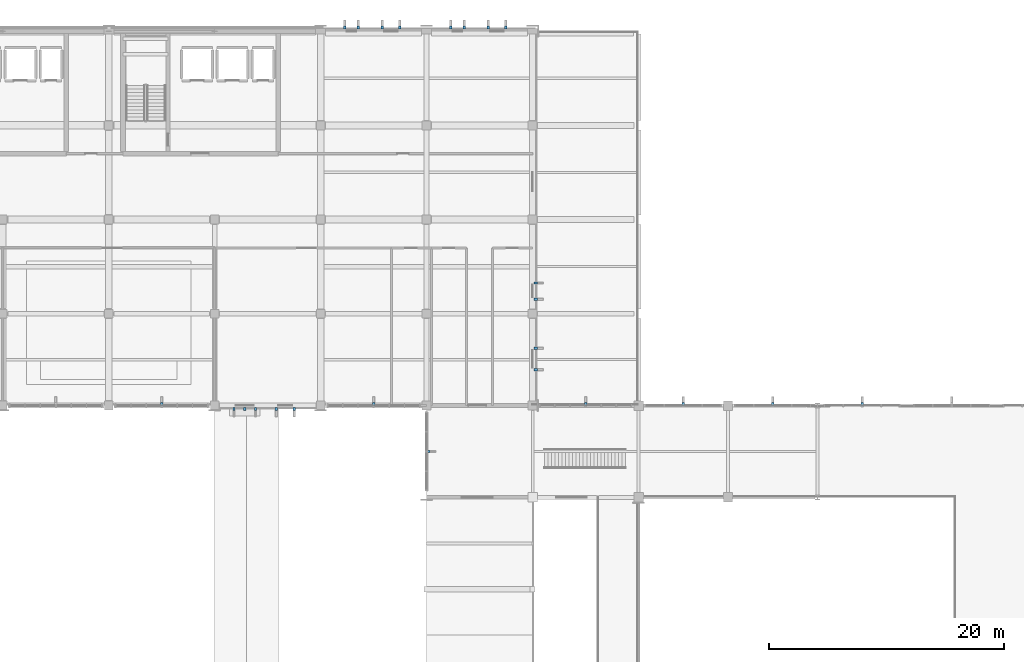
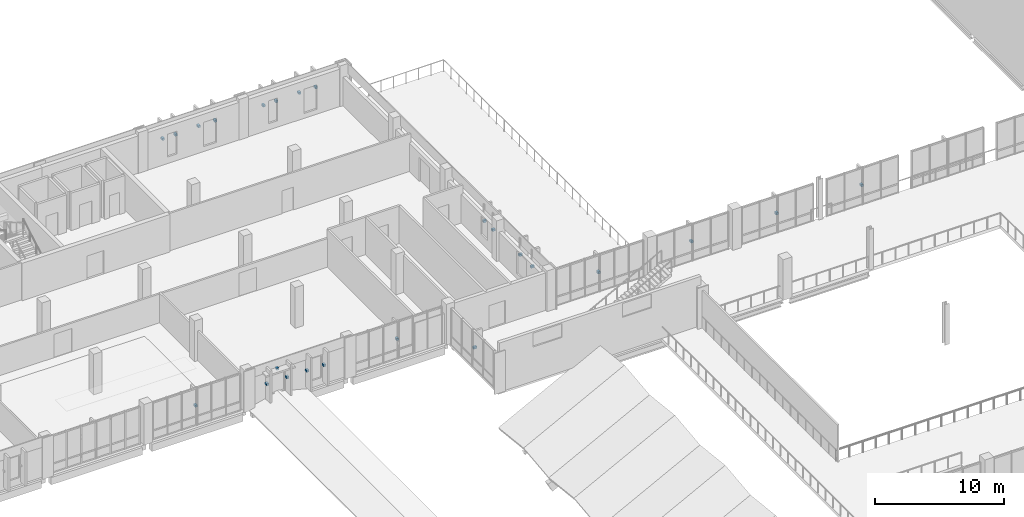
# One storey, part 51 of 64: 24 discrete accessories.
"""IFC4 building model written with IfcOpenShell, lengths in metres."""

import ifcopenshell
import ifcopenshell.guid

model = None  # the IFC model being written
_history = None  # IfcOwnerHistory: only IFC2X3 demands one
_inside = {}  # id of a spatial element -> (the spatial element, [elements in it])
_under = {}  # id of a project, library or spatial element -> (it, [spatial elements below it])
_declared = {}  # id of a project -> (the project, [libraries it declares])
_typed = {}  # id of a type object -> (the type object, [elements of that type])
_made_of = {}  # id of a material, layer set ... -> (it, [elements and type objects made of it])


def new_model(schema):
    """Start an empty IFC model of exactly this schema.

    Asked for "IFC4X3", IfcOpenShell would pick the latest addendum, in which some entities
    have other attributes; the version numbers below select the first issue.
    IFC2X3 requires an IfcOwnerHistory on every rooted entity: one is made here for all.
    """
    global model, _history
    if schema == "IFC4X3":
        model = ifcopenshell.file(schema_version=(4, 3, 0, 0))
    else:
        model = ifcopenshell.file(schema=schema)
    _inside.clear()
    _under.clear()
    _declared.clear()
    _typed.clear()
    _made_of.clear()
    _history = None
    if model.schema == "IFC2X3":
        org = make("IfcOrganization", Name="unknown")
        user = make(
            "IfcPersonAndOrganization",
            ThePerson=make("IfcPerson", FamilyName="unknown"),
            TheOrganization=org,
        )
        app = make(
            "IfcApplication",
            ApplicationDeveloper=org,
            Version="unknown",
            ApplicationFullName="unknown",
            ApplicationIdentifier="unknown",
        )
        _history = make(
            "IfcOwnerHistory",
            OwningUser=user,
            OwningApplication=app,
            ChangeAction="ADDED",
            CreationDate=0,
        )
    return model


def make(cls, **values):
    """One entity of the class cls with the attributes given. An attribute that is None is left unset."""
    return model.create_entity(
        cls, **{name: value for name, value in values.items() if value is not None}
    )


def rooted(cls, **values):
    """An entity with a GlobalId (a new one), such as an element, a storey or a relation."""
    return make(cls, GlobalId=ifcopenshell.guid.new(), OwnerHistory=_history, **values)


def si_unit(unit_type, name, prefix=None):
    """IfcSIUnit, for example si_unit("LENGTHUNIT", "METRE", prefix="MILLI")."""
    return make("IfcSIUnit", UnitType=unit_type, Prefix=prefix, Name=name)


def assignment(units):
    """IfcUnitAssignment: the units of a project."""
    return None if units is None else make("IfcUnitAssignment", Units=units)


def point(xyz):
    """IfcCartesianPoint."""
    return None if xyz is None else make("IfcCartesianPoint", Coordinates=xyz)


def direction(xyz):
    """IfcDirection."""
    return None if xyz is None else make("IfcDirection", DirectionRatios=xyz)


def frame(location, z_axis=None, x_axis=None):
    """IfcAxis2Placement3D, a coordinate frame: its origin and axes. An axis left out is left unset."""
    return make(
        "IfcAxis2Placement3D",
        Location=point(location),
        Axis=direction(z_axis),
        RefDirection=direction(x_axis),
    )


def frame_2d(location, x_axis=None):
    """IfcAxis2Placement2D, a coordinate frame in the plane: its origin and x axis."""
    return make(
        "IfcAxis2Placement2D", Location=point(location), RefDirection=direction(x_axis)
    )


def origin():
    """The frame at (0, 0, 0) with its axes left unset."""
    return frame((0.0, 0.0, 0.0))


def origin_2d():
    """The frame at (0, 0) in the plane with its x axis left unset."""
    return frame_2d((0.0, 0.0))


def place(relative_to, where):
    """IfcLocalPlacement: puts the frame where relative to a parent placement (None: the world)."""
    return make(
        "IfcLocalPlacement", PlacementRelTo=relative_to, RelativePlacement=where
    )


def context(
    kind, dimensions, precision=None, world=None, true_north=None, identifier=None
):
    """IfcGeometricRepresentationContext, for example the 3D "Model" context."""
    return make(
        "IfcGeometricRepresentationContext",
        ContextIdentifier=identifier,
        ContextType=kind,
        CoordinateSpaceDimension=dimensions,
        Precision=precision,
        WorldCoordinateSystem=world,
        TrueNorth=true_north,
    )


def subcontext(parent, identifier, kind, view, scale=None):
    """IfcGeometricRepresentationSubContext, for example "Body" below "Model"."""
    return make(
        "IfcGeometricRepresentationSubContext",
        ContextIdentifier=identifier,
        ContextType=kind,
        ParentContext=parent,
        TargetScale=scale,
        TargetView=view,
    )


def project(units=None, contexts=None):
    """IfcProject with its units and contexts."""
    return rooted(
        "IfcProject",
        Name="project",
        RepresentationContexts=contexts,
        UnitsInContext=assignment(units),
    )


def spatial(cls, under=None, at=None, **own):
    """A site, building, storey or space (cls), placed at a placement, below another one or the project."""
    s = rooted(cls, ObjectPlacement=at, **own)
    if under is not None:
        _under.setdefault(under.id(), (under, []))[1].append(s)
    return s


def profile(cls, at=None, kind="AREA", **sizes):
    """A parametric profile (cls). Its sizes go by their IFC names, for example OverallWidth=200.0."""
    return make(cls, ProfileType=kind, Position=at, **sizes)


def rectangle(**sizes):
    """IfcRectangleProfileDef."""
    return profile("IfcRectangleProfileDef", **sizes)


def extrude(swept, where, along, depth):
    """IfcExtrudedAreaSolid: the profile swept, set in the frame where, extruded along a direction by depth."""
    return make(
        "IfcExtrudedAreaSolid",
        SweptArea=swept,
        Position=where,
        ExtrudedDirection=direction(along),
        Depth=depth,
    )


def shape(context_of_items, identifier, shape_type, items):
    """IfcShapeRepresentation: the items that make up one representation, for example the "Body"."""
    return make(
        "IfcShapeRepresentation",
        ContextOfItems=context_of_items,
        RepresentationIdentifier=identifier,
        RepresentationType=shape_type,
        Items=items,
    )


def material(Name=None, Category=None):
    """IfcMaterial."""
    return make("IfcMaterial", Name=Name, Category=Category)


def made_of(thing, what):
    """Note that an element or type object is made of a material, layer set ...; save() writes the relation."""
    if what is not None:
        _made_of.setdefault(what.id(), (what, []))[1].append(thing)
    return thing


def type_object(cls, material=None, **own):
    """A type object (cls), such as IfcWallType, which elements share."""
    return made_of(rooted(cls, **own), material)


def element(
    cls,
    number,
    at=None,
    inside=None,
    cuts=None,
    type_object=None,
    material=None,
    context=None,
    identifier="Body",
    shape_type=None,
    held_by="IfcProductDefinitionShape",
    body=None,
    shapes=None,
    **own,
):
    """One element of the class cls, such as IfcWall. Its Tag is "e" and its number.

    at: its placement. inside: the storey or other place that contains it. cuts: it is an
    opening in that element (IfcRelVoidsElement). A single representation is given by context,
    identifier, shape_type and body (its items); several are given by shapes. held_by: the class
    of the entity that holds the representations. save() writes the other relations.
    """
    e = rooted(cls, Tag="e%d" % number, ObjectPlacement=at, **own)
    if body is not None:
        shapes = [shape(context, identifier, shape_type, body)]
    if shapes is not None:
        e.Representation = make(held_by, Representations=shapes)
    if inside is not None:
        _inside.setdefault(inside.id(), (inside, []))[1].append(e)
    if cuts is not None:
        rooted(
            "IfcRelVoidsElement", RelatingBuildingElement=cuts, RelatedOpeningElement=e
        )
    if type_object is not None:
        _typed.setdefault(type_object.id(), (type_object, []))[1].append(e)
    return made_of(e, material)


def aggregate(whole, parts):
    """IfcRelAggregates: a whole, such as a stair, and the parts it consists of."""
    return rooted("IfcRelAggregates", RelatingObject=whole, RelatedObjects=parts)


def save(model, path):
    """Write the relations noted so far, then the file.

    IfcRelAggregates (storeys below a building ...), IfcRelContainedInSpatialStructure (elements
    in a storey), IfcRelDefinesByType, IfcRelAssociatesMaterial and IfcRelDeclares: one each for
    every whole, place, type object, material and project.
    """
    for whole, parts in _under.values():
        aggregate(whole, parts)
    for where, things in _inside.values():
        rooted(
            "IfcRelContainedInSpatialStructure",
            RelatedElements=things,
            RelatingStructure=where,
        )
    for kind, things in _typed.values():
        rooted("IfcRelDefinesByType", RelatedObjects=things, RelatingType=kind)
    for what, things in _made_of.values():
        rooted("IfcRelAssociatesMaterial", RelatedObjects=things, RelatingMaterial=what)
    for by, libraries in _declared.values():
        rooted("IfcRelDeclares", RelatingContext=by, RelatedDefinitions=libraries)
    model.write(path)


model = new_model("IFC4")

# Units and contexts
model_context = context("Model", 3, precision=1e-05, world=origin(), true_north=direction((0.0, 1.0)))
body_context = subcontext(model_context, "Body", "Model", "MODEL_VIEW")
ifc_project = project(units=[si_unit("LENGTHUNIT", "METRE"), si_unit("AREAUNIT", "SQUARE_METRE"), si_unit("VOLUMEUNIT", "CUBIC_METRE"), si_unit("PLANEANGLEUNIT", "RADIAN"), si_unit("MASSUNIT", "GRAM", prefix="KILO")], contexts=[model_context])

# Site, building, storey
site_placement = place(None, origin())
site = spatial("IfcSite", under=ifc_project, at=site_placement, CompositionType="ELEMENT")
building_placement = place(site_placement, origin())
building = spatial("IfcBuilding", under=site, at=building_placement, Name="Vervanel Yard Central Library", CompositionType="ELEMENT")
storey_placement = place(building_placement, frame((0.0, 0.0, 8.93994140625)))
storey = spatial("IfcBuildingStorey", under=building, at=storey_placement, Name="L02", CompositionType="ELEMENT", Elevation=8.93994140625)

# Discrete accessories
ifc_material = material(Name="Steel ASTM A572 Grade 50", Category="steel")
discrete_accessory_type = type_object("IfcDiscreteAccessoryType", Name="Stainless Solar Fin Fixing Bracket", PredefinedType="BRACKET", material=ifc_material)
for number, where, z_axis, x_axis, name in (
    (1, (83.0400390625, 114.31005859375, 2.02490234375), (0.0, 0.0, 1.0), (1.0, 0.0, 0.0), "L02 Solar Fin Bracket 96"),
    (2, (84.179931640625, 114.31005859375, 2.02490234375), (0.0, 0.0, 1.0), (1.0, 0.0, 0.0), "L02 Solar Fin Bracket 97"),
    (3, (86.239990234375, 114.31005859375, 2.10009765625), (0.0, 0.0, 1.0), (1.0, 0.0, 0.0), "L02 Solar Fin Bracket 98"),
    (4, (87.7099609375, 114.31005859375, 2.10009765625), (0.0, 0.0, 1.0), (1.0, 0.0, 0.0), "L02 Solar Fin Bracket 99"),
    (5, (92.0400390625, 114.31005859375, 2.02490234375), (0.0, 0.0, 1.0), (1.0, 0.0, 0.0), "L02 Solar Fin Bracket 100"),
    (6, (93.179931640625, 114.31005859375, 2.02490234375), (0.0, 0.0, 1.0), (1.0, 0.0, 0.0), "L02 Solar Fin Bracket 101"),
    (7, (95.239990234375, 114.31005859375, 2.10009765625), (0.0, 0.0, 1.0), (1.0, 0.0, 0.0), "L02 Solar Fin Bracket 102"),
    (8, (96.7099609375, 114.31005859375, 2.10009765625), (0.0, 0.0, 1.0), (1.0, 0.0, 0.0), "L02 Solar Fin Bracket 103"),
    (9, (67.5, 82.330078125, 1.6552734375), (0.0, 0.0, 1.0), (1.0, 0.0, 0.0), "L02 Solar Fin Bracket 113"),
    (10, (73.639892578125, 81.909912109375, 1.80029296875), (0.0, 0.0, 1.0), (1.0, 0.0, 0.0), "L02 Solar Fin Bracket 114"),
    (11, (75.4599609375, 81.909912109375, 1.80029296875), (0.0, 0.0, 1.0), (1.0, 0.0, 0.0), "L02 Solar Fin Bracket 115"),
    (12, (74.550048828125, 81.909912109375, 2.9501953125), (0.0, 0.0, 1.0), (1.0, 0.0, 0.0), "L02 Sunhood Bracket 14"),
    (13, (77.239990234375, 81.909912109375, 1.80029296875), (0.0, 0.0, 1.0), (1.0, 0.0, 0.0), "L02 Solar Fin Bracket 116"),
    (14, (78.760009765625, 81.909912109375, 1.80029296875), (0.0, 0.0, 1.0), (1.0, 0.0, 0.0), "L02 Solar Fin Bracket 117"),
    (15, (85.5, 82.330078125, 1.6552734375), (0.0, 0.0, 1.0), (1.0, 0.0, 0.0), "L02 Solar Fin Bracket 118"),
    (16, (99.27001953125, 85.239990234375, 1.89990234375), (0.0, 0.0, 1.0), (0.0, 1.0, 0.0), "L02 Solar Fin Bracket 125"),
    (17, (99.27001953125, 87.06005859375, 1.89990234375), (0.0, 0.0, 1.0), (0.0, 1.0, 0.0), "L02 Solar Fin Bracket 126"),
    (18, (99.27001953125, 91.239990234375, 1.72509765625), (0.0, 0.0, 1.0), (0.0, 1.0, 0.0), "L02 Solar Fin Bracket 127"),
    (19, (99.27001953125, 92.610107421875, 1.72509765625), (0.0, 0.0, 1.0), (0.0, 1.0, 0.0), "L02 Solar Fin Bracket 128"),
    (20, (90.1298828125, 78.300048828125, 1.6552734375), (0.0, 0.0, 1.0), (0.0, 1.0, 0.0), "L02 Solar Fin Bracket 439"),
    (21, (103.5, 82.330078125, 1.6552734375), (0.0, 0.0, 1.0), (1.0, 0.0, 0.0), "L02 Solar Fin Bracket 471"),
    (22, (111.800048828125, 82.330078125, 1.6552734375), (0.0, 0.0, 1.0), (1.0, 0.0, 0.0), "L02 Solar Fin Bracket 472"),
    (23, (119.39990234375, 82.330078125, 1.6552734375), (0.0, 0.0, 1.0), (1.0, 0.0, 0.0), "L02 Solar Fin Bracket 473"),
    (24, (127.0, 82.330078125, 1.6552734375), (0.0, 0.0, 1.0), (1.0, 0.0, 0.0), "L02 Solar Fin Bracket 474"),
):
    element("IfcDiscreteAccessory", number, at=place(storey_placement, frame(where, z_axis=z_axis, x_axis=x_axis)), inside=storey, type_object=discrete_accessory_type, Name=name, PredefinedType="BRACKET", context=body_context, shape_type="SweptSolid", body=[
        extrude(rectangle(XDim=0.199951171875, YDim=0.280029296875, at=origin_2d()), origin(), (0.0, 0.0, 1.0), 0.199951171875),
    ])

save(model, "model.ifc")
